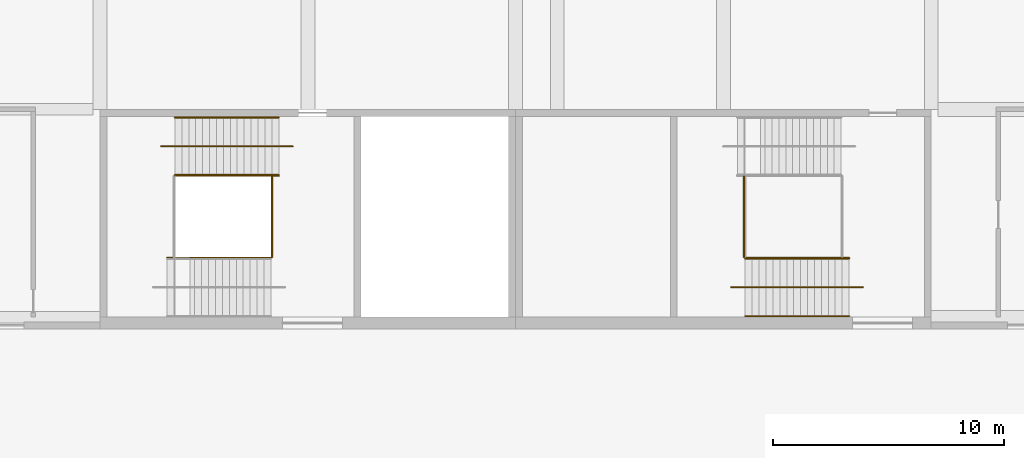
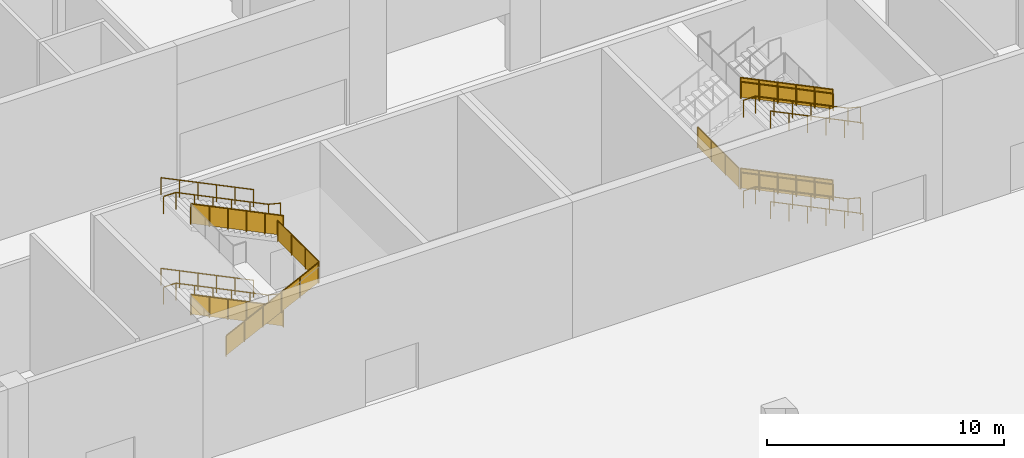
# One storey, part 69 of 92: 19 railings.
"""IFC4 building model written with IfcOpenShell, lengths in metres."""

from ifc_helpers import new_model, si_unit, direction, frame, origin, origin_2d, place, context, subcontext, project, spatial, polyline, circle, outline, extrude, material, type_object, element, save


model = new_model("IFC4")

# Units and contexts
model_context = context("Model", 3, precision=1e-05, world=origin(), true_north=direction((0.0, 1.0)))
body_context = subcontext(model_context, "Body", "Model", "MODEL_VIEW")
ifc_project = project(units=[si_unit("LENGTHUNIT", "METRE"), si_unit("AREAUNIT", "SQUARE_METRE"), si_unit("VOLUMEUNIT", "CUBIC_METRE"), si_unit("PLANEANGLEUNIT", "RADIAN"), si_unit("MASSUNIT", "GRAM", prefix="KILO")], contexts=[model_context])

# Site, building, storey
site_placement = place(None, origin())
site = spatial("IfcSite", under=ifc_project, at=site_placement, CompositionType="ELEMENT")
building_placement = place(site_placement, origin())
building = spatial("IfcBuilding", under=site, at=building_placement, Name="Silverbay Arena", CompositionType="ELEMENT")
storey_placement = place(building_placement, origin())
storey = spatial("IfcBuildingStorey", under=building, at=storey_placement, Name="L00", CompositionType="ELEMENT", Elevation=0.0)

# Railings
ifc_material_1 = material(Name="Stainless steel", Category="steel")
railing_type_1 = type_object("IfcRailingType", Name="Stair guard 1100", PredefinedType="GUARDRAIL", material=ifc_material_1)
railing_1_placement = place(storey_placement, frame((151.7431640625, 24.125, 0.145751953125)))
element("IfcRailing", 1, at=railing_1_placement, inside=storey, type_object=railing_type_1, Name="Stair ST-S3 L00 to L01 flight 1 guard right", PredefinedType="GUARDRAIL", context=body_context, shape_type="SweptSolid", body=[
    extrude(circle(Radius=0.02392578125, at=origin_2d()), frame((0.0, 0.0, 1.076171875), z_axis=(-0.899367854138, 0.0, 0.437192706873), x_axis=(0.0, -1.0, 0.0)), (0.0, 0.0, 1.0), 5.00341796875),
    extrude(outline(polyline([(-0.008056640625, 0.046142578125), (0.907958984375, 0.491455078125), (0.907958984375, 1.494384765625), (-0.008056640625, 1.049072265625), (-0.008056640625, 0.046142578125)])), frame((0.0, -0.0029296875, 0.0), z_axis=(0.0, 1.0, 0.0), x_axis=(-1.0, 0.0, 0.0)), (0.0, 0.0, 1.0), 0.006103515625),
    extrude(outline(polyline([(-0.008056640625, 0.483642578125), (0.907958984375, 0.928955078125), (0.907958984375, 1.931884765625), (-0.008056640625, 1.486572265625), (-0.008056640625, 0.483642578125)])), frame((-0.89990234375, -0.0029296875, 0.0), z_axis=(0.0, 1.0, 0.0), x_axis=(-1.0, 0.0, 0.0)), (0.0, 0.0, 1.0), 0.006103515625),
    extrude(outline(polyline([(-0.008056640625, 0.921142578125), (0.907958984375, 1.366455078125), (0.907958984375, 2.369384765625), (-0.008056640625, 1.924072265625), (-0.008056640625, 0.921142578125)])), frame((-1.800048828125, -0.0029296875, 0.0), z_axis=(0.0, 1.0, 0.0), x_axis=(-1.0, 0.0, 0.0)), (0.0, 0.0, 1.0), 0.006103515625),
    extrude(outline(polyline([(-0.008056640625, 1.358642578125), (0.907958984375, 1.803955078125), (0.907958984375, 2.806884765625), (-0.008056640625, 2.361572265625), (-0.008056640625, 1.358642578125)])), frame((-2.699951171875, -0.0029296875, 0.0), z_axis=(0.0, 1.0, 0.0), x_axis=(-1.0, 0.0, 0.0)), (0.0, 0.0, 1.0), 0.006103515625),
    extrude(outline(polyline([(-0.008056640625, 1.796142578125), (0.907958984375, 2.241455078125), (0.907958984375, 3.244384765625), (-0.008056640625, 2.799072265625), (-0.008056640625, 1.796142578125)])), frame((-3.60009765625, -0.0029296875, 0.0), z_axis=(0.0, 1.0, 0.0), x_axis=(-1.0, 0.0, 0.0)), (0.0, 0.0, 1.0), 0.006103515625),
    extrude(circle(Radius=0.02099609375, at=origin_2d()), origin(), (0.0, 0.0, 1.0), 1.052001953125),
    extrude(circle(Radius=0.02099609375, at=origin_2d()), frame((-0.89990234375, 0.0, 0.4375)), (0.0, 0.0, 1.0), 1.052001953125),
    extrude(circle(Radius=0.02099609375, at=origin_2d()), frame((-1.800048828125, 0.0, 0.875)), (0.0, 0.0, 1.0), 1.052001953125),
    extrude(circle(Radius=0.02099609375, at=origin_2d()), frame((-2.699951171875, 0.0, 1.3125)), (0.0, 0.0, 1.0), 1.052001953125),
    extrude(circle(Radius=0.02099609375, at=origin_2d()), frame((-3.60009765625, 0.0, 1.75)), (0.0, 0.0, 1.0), 1.052001953125),
    extrude(circle(Radius=0.02099609375, at=origin_2d()), frame((-4.5, 0.0, 2.1875)), (0.0, 0.0, 1.0), 1.052001953125),
])
railing_2_placement = place(storey_placement, frame((146.89990234375, 20.574951171875, 2.479248046875)))
element("IfcRailing", 2, at=railing_2_placement, inside=storey, type_object=railing_type_1, Name="Stair ST-S3 L00 to L01 flight 2 guard left", PredefinedType="GUARDRAIL", context=body_context, shape_type="SweptSolid", body=[
    extrude(circle(Radius=0.02392578125, at=origin_2d()), frame((0.0, 0.0, 1.076171875), z_axis=(0.899367854138, 0.0, 0.437192706873), x_axis=(0.0, 1.0, 0.0)), (0.0, 0.0, 1.0), 5.00341796875),
    extrude(outline(polyline([(-0.008056640625, 0.046142578125), (0.907958984375, 0.491455078125), (0.907958984375, 1.494384765625), (-0.008056640625, 1.049072265625), (-0.008056640625, 0.046142578125)])), frame((0.0, 0.0029296875, 0.0), z_axis=(0.0, -1.0, 0.0), x_axis=(1.0, 0.0, 0.0)), (0.0, 0.0, 1.0), 0.006103515625),
    extrude(outline(polyline([(-0.008056640625, 0.483642578125), (0.907958984375, 0.928955078125), (0.907958984375, 1.931884765625), (-0.008056640625, 1.486572265625), (-0.008056640625, 0.483642578125)])), frame((0.89990234375, 0.0029296875, 0.0), z_axis=(0.0, -1.0, 0.0), x_axis=(1.0, 0.0, 0.0)), (0.0, 0.0, 1.0), 0.006103515625),
    extrude(outline(polyline([(-0.008056640625, 0.921142578125), (0.907958984375, 1.366455078125), (0.907958984375, 2.369384765625), (-0.008056640625, 1.924072265625), (-0.008056640625, 0.921142578125)])), frame((1.800048828125, 0.0029296875, 0.0), z_axis=(0.0, -1.0, 0.0), x_axis=(1.0, 0.0, 0.0)), (0.0, 0.0, 1.0), 0.006103515625),
    extrude(outline(polyline([(-0.008056640625, 1.358642578125), (0.907958984375, 1.803955078125), (0.907958984375, 2.806884765625), (-0.008056640625, 2.361572265625), (-0.008056640625, 1.358642578125)])), frame((2.699951171875, 0.0029296875, 0.0), z_axis=(0.0, -1.0, 0.0), x_axis=(1.0, 0.0, 0.0)), (0.0, 0.0, 1.0), 0.006103515625),
    extrude(outline(polyline([(-0.008056640625, 1.796142578125), (0.907958984375, 2.241455078125), (0.907958984375, 3.244384765625), (-0.008056640625, 2.799072265625), (-0.008056640625, 1.796142578125)])), frame((3.60009765625, 0.0029296875, 0.0), z_axis=(0.0, -1.0, 0.0), x_axis=(1.0, 0.0, 0.0)), (0.0, 0.0, 1.0), 0.006103515625),
    extrude(circle(Radius=0.02099609375, at=origin_2d()), origin(), (0.0, 0.0, 1.0), 1.052001953125),
    extrude(circle(Radius=0.02099609375, at=origin_2d()), frame((0.89990234375, 0.0, 0.4375)), (0.0, 0.0, 1.0), 1.052001953125),
    extrude(circle(Radius=0.02099609375, at=origin_2d()), frame((1.800048828125, 0.0, 0.875)), (0.0, 0.0, 1.0), 1.052001953125),
    extrude(circle(Radius=0.02099609375, at=origin_2d()), frame((2.699951171875, 0.0, 1.3125)), (0.0, 0.0, 1.0), 1.052001953125),
    extrude(circle(Radius=0.02099609375, at=origin_2d()), frame((3.60009765625, 0.0, 1.75)), (0.0, 0.0, 1.0), 1.052001953125),
    extrude(circle(Radius=0.02099609375, at=origin_2d()), frame((4.5, 0.0, 2.1875)), (0.0, 0.0, 1.0), 1.052001953125),
])
railing_3_placement = place(storey_placement, frame((151.7431640625, 24.125, 4.8125)))
element("IfcRailing", 3, at=railing_3_placement, inside=storey, type_object=railing_type_1, Name="Stair ST-S3 L00 to L01 flight 3 guard right", PredefinedType="GUARDRAIL", context=body_context, shape_type="SweptSolid", body=[
    extrude(circle(Radius=0.02392578125, at=origin_2d()), frame((0.0, 0.0, 1.076171875), z_axis=(-0.899367854138, 0.0, 0.437192706873), x_axis=(0.0, -1.0, 0.0)), (0.0, 0.0, 1.0), 5.00341796875),
    extrude(outline(polyline([(-0.008056640625, 0.046142578125), (0.907958984375, 0.491455078125), (0.907958984375, 1.494384765625), (-0.008056640625, 1.049072265625), (-0.008056640625, 0.046142578125)])), frame((0.0, -0.0029296875, 0.0), z_axis=(0.0, 1.0, 0.0), x_axis=(-1.0, 0.0, 0.0)), (0.0, 0.0, 1.0), 0.006103515625),
    extrude(outline(polyline([(-0.008056640625, 0.483642578125), (0.907958984375, 0.928955078125), (0.907958984375, 1.931884765625), (-0.008056640625, 1.486572265625), (-0.008056640625, 0.483642578125)])), frame((-0.89990234375, -0.0029296875, 0.0), z_axis=(0.0, 1.0, 0.0), x_axis=(-1.0, 0.0, 0.0)), (0.0, 0.0, 1.0), 0.006103515625),
    extrude(outline(polyline([(-0.008056640625, 0.921142578125), (0.907958984375, 1.366455078125), (0.907958984375, 2.369384765625), (-0.008056640625, 1.924072265625), (-0.008056640625, 0.921142578125)])), frame((-1.800048828125, -0.0029296875, 0.0), z_axis=(0.0, 1.0, 0.0), x_axis=(-1.0, 0.0, 0.0)), (0.0, 0.0, 1.0), 0.006103515625),
    extrude(outline(polyline([(-0.008056640625, 1.358642578125), (0.907958984375, 1.803955078125), (0.907958984375, 2.806884765625), (-0.008056640625, 2.361572265625), (-0.008056640625, 1.358642578125)])), frame((-2.699951171875, -0.0029296875, 0.0), z_axis=(0.0, 1.0, 0.0), x_axis=(-1.0, 0.0, 0.0)), (0.0, 0.0, 1.0), 0.006103515625),
    extrude(outline(polyline([(-0.008056640625, 1.796142578125), (0.907958984375, 2.241455078125), (0.907958984375, 3.244384765625), (-0.008056640625, 2.799072265625), (-0.008056640625, 1.796142578125)])), frame((-3.60009765625, -0.0029296875, 0.0), z_axis=(0.0, 1.0, 0.0), x_axis=(-1.0, 0.0, 0.0)), (0.0, 0.0, 1.0), 0.006103515625),
    extrude(circle(Radius=0.02099609375, at=origin_2d()), origin(), (0.0, 0.0, 1.0), 1.052001953125),
    extrude(circle(Radius=0.02099609375, at=origin_2d()), frame((-0.89990234375, 0.0, 0.4375)), (0.0, 0.0, 1.0), 1.052001953125),
    extrude(circle(Radius=0.02099609375, at=origin_2d()), frame((-1.800048828125, 0.0, 0.875)), (0.0, 0.0, 1.0), 1.052001953125),
    extrude(circle(Radius=0.02099609375, at=origin_2d()), frame((-2.699951171875, 0.0, 1.3125)), (0.0, 0.0, 1.0), 1.052001953125),
    extrude(circle(Radius=0.02099609375, at=origin_2d()), frame((-3.60009765625, 0.0, 1.75)), (0.0, 0.0, 1.0), 1.052001953125),
    extrude(circle(Radius=0.02099609375, at=origin_2d()), frame((-4.5, 0.0, 2.1875)), (0.0, 0.0, 1.0), 1.052001953125),
])
railing_4_placement = place(storey_placement, frame((151.449951171875, 24.10009765625, 4.666748046875)))
element("IfcRailing", 4, at=railing_4_placement, inside=storey, type_object=railing_type_1, Name="Stair ST-S3 L00 to L01 landing 2 guard", PredefinedType="GUARDRAIL", context=body_context, shape_type="SweptSolid", body=[
    extrude(circle(Radius=0.02392578125, at=origin_2d()), frame((0.0, 0.0, 1.076171875), z_axis=(0.0, -1.0, 0.0), x_axis=(1.0, 0.0, 0.0)), (0.0, 0.0, 1.0), 3.5),
    extrude(outline(polyline([(-0.008056640625, 0.050048828125), (1.174560546875, 0.050048828125), (1.174560546875, 1.052978515625), (-0.008056640625, 1.052978515625), (-0.008056640625, 0.050048828125)])), frame((0.0029296875, 0.0, 0.0), z_axis=(-1.0, 0.0, 0.0), x_axis=(0.0, -1.0, 0.0)), (0.0, 0.0, 1.0), 0.006103515625),
    extrude(outline(polyline([(-0.008056640625, 0.050048828125), (1.174560546875, 0.050048828125), (1.174560546875, 1.052978515625), (-0.008056640625, 1.052978515625), (-0.008056640625, 0.050048828125)])), frame((0.0029296875, -1.166748046875, 0.0), z_axis=(-1.0, 0.0, 0.0), x_axis=(0.0, -1.0, 0.0)), (0.0, 0.0, 1.0), 0.006103515625),
    extrude(outline(polyline([(-0.008056640625, 0.050048828125), (1.174560546875, 0.050048828125), (1.174560546875, 1.052978515625), (-0.008056640625, 1.052978515625), (-0.008056640625, 0.050048828125)])), frame((0.0029296875, -2.333251953125, 0.0), z_axis=(-1.0, 0.0, 0.0), x_axis=(0.0, -1.0, 0.0)), (0.0, 0.0, 1.0), 0.006103515625),
    extrude(circle(Radius=0.02099609375, at=origin_2d()), origin(), (0.0, 0.0, 1.0), 1.052001953125),
    extrude(circle(Radius=0.02099609375, at=origin_2d()), frame((0.0, -1.166748046875, 0.0)), (0.0, 0.0, 1.0), 1.052001953125),
    extrude(circle(Radius=0.02099609375, at=origin_2d()), frame((0.0, -2.333251953125, 0.0)), (0.0, 0.0, 1.0), 1.052001953125),
    extrude(circle(Radius=0.02099609375, at=origin_2d()), frame((0.0, -3.5, 0.0)), (0.0, 0.0, 1.0), 1.052001953125),
])
railing_5_placement = place(storey_placement, frame((176.443115234375, 20.574951171875, 0.145751953125)))
element("IfcRailing", 5, at=railing_5_placement, inside=storey, type_object=railing_type_1, Name="Stair ST-S4 L00 to L01 flight 1 guard left", PredefinedType="GUARDRAIL", context=body_context, shape_type="SweptSolid", body=[
    extrude(circle(Radius=0.02392578125, at=origin_2d()), frame((0.0, 0.0, 1.076171875), z_axis=(-0.899367854138, 0.0, 0.437192706873), x_axis=(0.0, -1.0, 0.0)), (0.0, 0.0, 1.0), 5.00341796875),
    extrude(outline(polyline([(-0.008056640625, 0.046142578125), (0.907958984375, 0.491455078125), (0.907958984375, 1.494384765625), (-0.008056640625, 1.049072265625), (-0.008056640625, 0.046142578125)])), frame((0.0, -0.0029296875, 0.0), z_axis=(0.0, 1.0, 0.0), x_axis=(-1.0, 0.0, 0.0)), (0.0, 0.0, 1.0), 0.006103515625),
    extrude(outline(polyline([(-0.008056640625, 0.483642578125), (0.907958984375, 0.928955078125), (0.907958984375, 1.931884765625), (-0.008056640625, 1.486572265625), (-0.008056640625, 0.483642578125)])), frame((-0.89990234375, -0.0029296875, 0.0), z_axis=(0.0, 1.0, 0.0), x_axis=(-1.0, 0.0, 0.0)), (0.0, 0.0, 1.0), 0.006103515625),
    extrude(outline(polyline([(-0.008056640625, 0.921142578125), (0.907958984375, 1.366455078125), (0.907958984375, 2.369384765625), (-0.008056640625, 1.924072265625), (-0.008056640625, 0.921142578125)])), frame((-1.800048828125, -0.0029296875, 0.0), z_axis=(0.0, 1.0, 0.0), x_axis=(-1.0, 0.0, 0.0)), (0.0, 0.0, 1.0), 0.006103515625),
    extrude(outline(polyline([(-0.008056640625, 1.358642578125), (0.907958984375, 1.803955078125), (0.907958984375, 2.806884765625), (-0.008056640625, 2.361572265625), (-0.008056640625, 1.358642578125)])), frame((-2.699951171875, -0.0029296875, 0.0), z_axis=(0.0, 1.0, 0.0), x_axis=(-1.0, 0.0, 0.0)), (0.0, 0.0, 1.0), 0.006103515625),
    extrude(outline(polyline([(-0.008056640625, 1.796142578125), (0.907958984375, 2.241455078125), (0.907958984375, 3.244384765625), (-0.008056640625, 2.799072265625), (-0.008056640625, 1.796142578125)])), frame((-3.60009765625, -0.0029296875, 0.0), z_axis=(0.0, 1.0, 0.0), x_axis=(-1.0, 0.0, 0.0)), (0.0, 0.0, 1.0), 0.006103515625),
    extrude(circle(Radius=0.02099609375, at=origin_2d()), origin(), (0.0, 0.0, 1.0), 1.052001953125),
    extrude(circle(Radius=0.02099609375, at=origin_2d()), frame((-0.89990234375, 0.0, 0.4375)), (0.0, 0.0, 1.0), 1.052001953125),
    extrude(circle(Radius=0.02099609375, at=origin_2d()), frame((-1.800048828125, 0.0, 0.875)), (0.0, 0.0, 1.0), 1.052001953125),
    extrude(circle(Radius=0.02099609375, at=origin_2d()), frame((-2.699951171875, 0.0, 1.3125)), (0.0, 0.0, 1.0), 1.052001953125),
    extrude(circle(Radius=0.02099609375, at=origin_2d()), frame((-3.60009765625, 0.0, 1.75)), (0.0, 0.0, 1.0), 1.052001953125),
    extrude(circle(Radius=0.02099609375, at=origin_2d()), frame((-4.5, 0.0, 2.1875)), (0.0, 0.0, 1.0), 1.052001953125),
])
railing_6_placement = place(storey_placement, frame((176.443115234375, 20.574951171875, 4.8125)))
element("IfcRailing", 6, at=railing_6_placement, inside=storey, type_object=railing_type_1, Name="Stair ST-S4 L00 to L01 flight 3 guard left", PredefinedType="GUARDRAIL", context=body_context, shape_type="SweptSolid", body=[
    extrude(circle(Radius=0.02392578125, at=origin_2d()), frame((0.0, 0.0, 1.076171875), z_axis=(-0.899367854138, 0.0, 0.437192706873), x_axis=(0.0, -1.0, 0.0)), (0.0, 0.0, 1.0), 5.00341796875),
    extrude(outline(polyline([(-0.008056640625, 0.046142578125), (0.907958984375, 0.491455078125), (0.907958984375, 1.494384765625), (-0.008056640625, 1.049072265625), (-0.008056640625, 0.046142578125)])), frame((0.0, -0.0029296875, 0.0), z_axis=(0.0, 1.0, 0.0), x_axis=(-1.0, 0.0, 0.0)), (0.0, 0.0, 1.0), 0.006103515625),
    extrude(outline(polyline([(-0.008056640625, 0.483642578125), (0.907958984375, 0.928955078125), (0.907958984375, 1.931884765625), (-0.008056640625, 1.486572265625), (-0.008056640625, 0.483642578125)])), frame((-0.89990234375, -0.0029296875, 0.0), z_axis=(0.0, 1.0, 0.0), x_axis=(-1.0, 0.0, 0.0)), (0.0, 0.0, 1.0), 0.006103515625),
    extrude(outline(polyline([(-0.008056640625, 0.921142578125), (0.907958984375, 1.366455078125), (0.907958984375, 2.369384765625), (-0.008056640625, 1.924072265625), (-0.008056640625, 0.921142578125)])), frame((-1.800048828125, -0.0029296875, 0.0), z_axis=(0.0, 1.0, 0.0), x_axis=(-1.0, 0.0, 0.0)), (0.0, 0.0, 1.0), 0.006103515625),
    extrude(outline(polyline([(-0.008056640625, 1.358642578125), (0.907958984375, 1.803955078125), (0.907958984375, 2.806884765625), (-0.008056640625, 2.361572265625), (-0.008056640625, 1.358642578125)])), frame((-2.699951171875, -0.0029296875, 0.0), z_axis=(0.0, 1.0, 0.0), x_axis=(-1.0, 0.0, 0.0)), (0.0, 0.0, 1.0), 0.006103515625),
    extrude(outline(polyline([(-0.008056640625, 1.796142578125), (0.907958984375, 2.241455078125), (0.907958984375, 3.244384765625), (-0.008056640625, 2.799072265625), (-0.008056640625, 1.796142578125)])), frame((-3.60009765625, -0.0029296875, 0.0), z_axis=(0.0, 1.0, 0.0), x_axis=(-1.0, 0.0, 0.0)), (0.0, 0.0, 1.0), 0.006103515625),
    extrude(circle(Radius=0.02099609375, at=origin_2d()), origin(), (0.0, 0.0, 1.0), 1.052001953125),
    extrude(circle(Radius=0.02099609375, at=origin_2d()), frame((-0.89990234375, 0.0, 0.4375)), (0.0, 0.0, 1.0), 1.052001953125),
    extrude(circle(Radius=0.02099609375, at=origin_2d()), frame((-1.800048828125, 0.0, 0.875)), (0.0, 0.0, 1.0), 1.052001953125),
    extrude(circle(Radius=0.02099609375, at=origin_2d()), frame((-2.699951171875, 0.0, 1.3125)), (0.0, 0.0, 1.0), 1.052001953125),
    extrude(circle(Radius=0.02099609375, at=origin_2d()), frame((-3.60009765625, 0.0, 1.75)), (0.0, 0.0, 1.0), 1.052001953125),
    extrude(circle(Radius=0.02099609375, at=origin_2d()), frame((-4.5, 0.0, 2.1875)), (0.0, 0.0, 1.0), 1.052001953125),
])
railing_7_placement = place(storey_placement, frame((171.89306640625, 24.10009765625, 2.333251953125)))
element("IfcRailing", 7, at=railing_7_placement, inside=storey, type_object=railing_type_1, Name="Stair ST-S4 L00 to L01 landing 1 guard", PredefinedType="GUARDRAIL", context=body_context, shape_type="SweptSolid", body=[
    extrude(circle(Radius=0.02392578125, at=origin_2d()), frame((0.0, 0.0, 1.076171875), z_axis=(0.0, -1.0, 0.0), x_axis=(1.0, 0.0, 0.0)), (0.0, 0.0, 1.0), 3.5),
    extrude(outline(polyline([(-0.008056640625, 0.050048828125), (1.174560546875, 0.050048828125), (1.174560546875, 1.052978515625), (-0.008056640625, 1.052978515625), (-0.008056640625, 0.050048828125)])), frame((0.0029296875, 0.0, 0.0), z_axis=(-1.0, 0.0, 0.0), x_axis=(0.0, -1.0, 0.0)), (0.0, 0.0, 1.0), 0.006103515625),
    extrude(outline(polyline([(-0.008056640625, 0.050048828125), (1.174560546875, 0.050048828125), (1.174560546875, 1.052978515625), (-0.008056640625, 1.052978515625), (-0.008056640625, 0.050048828125)])), frame((0.0029296875, -1.166748046875, 0.0), z_axis=(-1.0, 0.0, 0.0), x_axis=(0.0, -1.0, 0.0)), (0.0, 0.0, 1.0), 0.006103515625),
    extrude(outline(polyline([(-0.008056640625, 0.050048828125), (1.174560546875, 0.050048828125), (1.174560546875, 1.052978515625), (-0.008056640625, 1.052978515625), (-0.008056640625, 0.050048828125)])), frame((0.0029296875, -2.333251953125, 0.0), z_axis=(-1.0, 0.0, 0.0), x_axis=(0.0, -1.0, 0.0)), (0.0, 0.0, 1.0), 0.006103515625),
    extrude(circle(Radius=0.02099609375, at=origin_2d()), origin(), (0.0, 0.0, 1.0), 1.052001953125),
    extrude(circle(Radius=0.02099609375, at=origin_2d()), frame((0.0, -1.166748046875, 0.0)), (0.0, 0.0, 1.0), 1.052001953125),
    extrude(circle(Radius=0.02099609375, at=origin_2d()), frame((0.0, -2.333251953125, 0.0)), (0.0, 0.0, 1.0), 1.052001953125),
    extrude(circle(Radius=0.02099609375, at=origin_2d()), frame((0.0, -3.5, 0.0)), (0.0, 0.0, 1.0), 1.052001953125),
])
ifc_material_2 = material(Name="Stainless steel", Category="steel")
railing_type_2 = type_object("IfcRailingType", Name="Stair handrail 900", PredefinedType="HANDRAIL", material=ifc_material_2)
for number, where, name in (
    (8, (151.7431640625, 26.64990234375, 0.145751953125), "Stair ST-S3 L00 to L01 flight 1 handrail left"),
    (9, (151.7431640625, 24.1640625, 0.145751953125), "Stair ST-S3 L00 to L01 flight 1 handrail right"),
):
    element("IfcRailing", number, at=place(storey_placement, frame(where)), inside=storey, type_object=railing_type_2, Name=name, PredefinedType="HANDRAIL", context=body_context, shape_type="SweptSolid", body=[
        extrude(circle(Radius=0.02392578125, at=origin_2d()), frame((0.0, 0.0, 0.8759765625), z_axis=(-0.899367854138, 0.0, 0.437192706873), x_axis=(0.0, -1.0, 0.0)), (0.0, 0.0, 1.0), 5.00341796875),
        extrude(circle(Radius=0.02099609375, at=origin_2d()), origin(), (0.0, 0.0, 1.0), 0.851806640625),
        extrude(circle(Radius=0.02099609375, at=origin_2d()), frame((-0.89990234375, 0.0, 0.4375)), (0.0, 0.0, 1.0), 0.851806640625),
        extrude(circle(Radius=0.02099609375, at=origin_2d()), frame((-1.800048828125, 0.0, 0.875)), (0.0, 0.0, 1.0), 0.851806640625),
        extrude(circle(Radius=0.02099609375, at=origin_2d()), frame((-2.699951171875, 0.0, 1.3125)), (0.0, 0.0, 1.0), 0.851806640625),
        extrude(circle(Radius=0.02099609375, at=origin_2d()), frame((-3.60009765625, 0.0, 1.75)), (0.0, 0.0, 1.0), 0.851806640625),
        extrude(circle(Radius=0.02099609375, at=origin_2d()), frame((-4.5, 0.0, 2.1875)), (0.0, 0.0, 1.0), 0.851806640625),
    ])
railing_8_placement = place(storey_placement, frame((152.343017578125, 25.39990234375, 0.0)))
element("IfcRailing", 10, at=railing_8_placement, inside=storey, type_object=railing_type_2, Name="Stair ST-S3 L00 to L01 flight 1 central handrail", PredefinedType="HANDRAIL", context=body_context, shape_type="SweptSolid", body=[
    extrude(circle(Radius=0.02392578125, at=origin_2d()), frame((0.0, 0.0, 0.8759765625), z_axis=(-0.971726487806, 0.0, 0.23610936639), x_axis=(0.0, -1.0, 0.0)), (0.0, 0.0, 1.0), 0.6171875),
    extrude(circle(Radius=0.02392578125, at=origin_2d()), frame((-0.599853515625, 0.0, 1.021484375), z_axis=(-0.899367854138, 0.0, 0.437192706873), x_axis=(0.0, -1.0, 0.0)), (0.0, 0.0, 1.0), 5.00341796875),
    extrude(circle(Radius=0.02392578125, at=origin_2d()), frame((-5.099853515625, 0.0, 3.208984375), z_axis=(-1.0, 0.0, 0.0), x_axis=(0.0, -1.0, 0.0)), (0.0, 0.0, 1.0), 0.60009765625),
    extrude(circle(Radius=0.02099609375, at=origin_2d()), origin(), (0.0, 0.0, 1.0), 0.851806640625),
    extrude(circle(Radius=0.02099609375, at=origin_2d()), frame((-0.599853515625, 0.0, 0.145751953125)), (0.0, 0.0, 1.0), 0.851806640625),
    extrude(circle(Radius=0.02099609375, at=origin_2d()), frame((-1.499755859375, 0.0, 0.583251953125)), (0.0, 0.0, 1.0), 0.851806640625),
    extrude(circle(Radius=0.02099609375, at=origin_2d()), frame((-2.39990234375, 0.0, 1.020751953125)), (0.0, 0.0, 1.0), 0.851806640625),
    extrude(circle(Radius=0.02099609375, at=origin_2d()), frame((-3.2998046875, 0.0, 1.458251953125)), (0.0, 0.0, 1.0), 0.851806640625),
    extrude(circle(Radius=0.02099609375, at=origin_2d()), frame((-4.199951171875, 0.0, 1.895751953125)), (0.0, 0.0, 1.0), 0.851806640625),
    extrude(circle(Radius=0.02099609375, at=origin_2d()), frame((-5.099853515625, 0.0, 2.333251953125)), (0.0, 0.0, 1.0), 0.851806640625),
    extrude(circle(Radius=0.02099609375, at=origin_2d()), frame((-5.699951171875, 0.0, 2.333251953125)), (0.0, 0.0, 1.0), 0.851806640625),
])
for number, where, name in (
    (11, (151.7431640625, 26.64990234375, 4.8125), "Stair ST-S3 L00 to L01 flight 3 handrail left"),
    (12, (151.7431640625, 24.1640625, 4.8125), "Stair ST-S3 L00 to L01 flight 3 handrail right"),
):
    element("IfcRailing", number, at=place(storey_placement, frame(where)), inside=storey, type_object=railing_type_2, Name=name, PredefinedType="HANDRAIL", context=body_context, shape_type="SweptSolid", body=[
        extrude(circle(Radius=0.02392578125, at=origin_2d()), frame((0.0, 0.0, 0.8759765625), z_axis=(-0.899367854138, 0.0, 0.437192706873), x_axis=(0.0, -1.0, 0.0)), (0.0, 0.0, 1.0), 5.00341796875),
        extrude(circle(Radius=0.02099609375, at=origin_2d()), origin(), (0.0, 0.0, 1.0), 0.851806640625),
        extrude(circle(Radius=0.02099609375, at=origin_2d()), frame((-0.89990234375, 0.0, 0.4375)), (0.0, 0.0, 1.0), 0.851806640625),
        extrude(circle(Radius=0.02099609375, at=origin_2d()), frame((-1.800048828125, 0.0, 0.875)), (0.0, 0.0, 1.0), 0.851806640625),
        extrude(circle(Radius=0.02099609375, at=origin_2d()), frame((-2.699951171875, 0.0, 1.3125)), (0.0, 0.0, 1.0), 0.851806640625),
        extrude(circle(Radius=0.02099609375, at=origin_2d()), frame((-3.60009765625, 0.0, 1.75)), (0.0, 0.0, 1.0), 0.851806640625),
        extrude(circle(Radius=0.02099609375, at=origin_2d()), frame((-4.5, 0.0, 2.1875)), (0.0, 0.0, 1.0), 0.851806640625),
    ])
railing_9_placement = place(storey_placement, frame((152.343017578125, 25.39990234375, 4.666748046875)))
element("IfcRailing", 13, at=railing_9_placement, inside=storey, type_object=railing_type_2, Name="Stair ST-S3 L00 to L01 flight 3 central handrail", PredefinedType="HANDRAIL", context=body_context, shape_type="SweptSolid", body=[
    extrude(circle(Radius=0.02392578125, at=origin_2d()), frame((0.0, 0.0, 0.8759765625), z_axis=(-0.971726487806, 0.0, 0.23610936639), x_axis=(0.0, -1.0, 0.0)), (0.0, 0.0, 1.0), 0.6171875),
    extrude(circle(Radius=0.02392578125, at=origin_2d()), frame((-0.599853515625, 0.0, 1.021484375), z_axis=(-0.899367854138, 0.0, 0.437192706873), x_axis=(0.0, -1.0, 0.0)), (0.0, 0.0, 1.0), 5.00341796875),
    extrude(circle(Radius=0.02392578125, at=origin_2d()), frame((-5.099853515625, 0.0, 3.208984375), z_axis=(-1.0, 0.0, 0.0), x_axis=(0.0, -1.0, 0.0)), (0.0, 0.0, 1.0), 0.60009765625),
    extrude(circle(Radius=0.02099609375, at=origin_2d()), origin(), (0.0, 0.0, 1.0), 0.851806640625),
    extrude(circle(Radius=0.02099609375, at=origin_2d()), frame((-0.599853515625, 0.0, 0.145751953125)), (0.0, 0.0, 1.0), 0.851806640625),
    extrude(circle(Radius=0.02099609375, at=origin_2d()), frame((-1.499755859375, 0.0, 0.583251953125)), (0.0, 0.0, 1.0), 0.851806640625),
    extrude(circle(Radius=0.02099609375, at=origin_2d()), frame((-2.39990234375, 0.0, 1.020751953125)), (0.0, 0.0, 1.0), 0.851806640625),
    extrude(circle(Radius=0.02099609375, at=origin_2d()), frame((-3.2998046875, 0.0, 1.458251953125)), (0.0, 0.0, 1.0), 0.851806640625),
    extrude(circle(Radius=0.02099609375, at=origin_2d()), frame((-4.199951171875, 0.0, 1.895751953125)), (0.0, 0.0, 1.0), 0.851806640625),
    extrude(circle(Radius=0.02099609375, at=origin_2d()), frame((-5.099853515625, 0.0, 2.333251953125)), (0.0, 0.0, 1.0), 0.851806640625),
    extrude(circle(Radius=0.02099609375, at=origin_2d()), frame((-5.699951171875, 0.0, 2.333251953125)), (0.0, 0.0, 1.0), 0.851806640625),
])
for number, where, name in (
    (14, (176.443115234375, 20.535888671875, 0.145751953125), "Stair ST-S4 L00 to L01 flight 1 handrail left"),
    (15, (176.443115234375, 18.050048828125, 0.145751953125), "Stair ST-S4 L00 to L01 flight 1 handrail right"),
):
    element("IfcRailing", number, at=place(storey_placement, frame(where)), inside=storey, type_object=railing_type_2, Name=name, PredefinedType="HANDRAIL", context=body_context, shape_type="SweptSolid", body=[
        extrude(circle(Radius=0.02392578125, at=origin_2d()), frame((0.0, 0.0, 0.8759765625), z_axis=(-0.899367854138, 0.0, 0.437192706873), x_axis=(0.0, -1.0, 0.0)), (0.0, 0.0, 1.0), 5.00341796875),
        extrude(circle(Radius=0.02099609375, at=origin_2d()), origin(), (0.0, 0.0, 1.0), 0.851806640625),
        extrude(circle(Radius=0.02099609375, at=origin_2d()), frame((-0.89990234375, 0.0, 0.4375)), (0.0, 0.0, 1.0), 0.851806640625),
        extrude(circle(Radius=0.02099609375, at=origin_2d()), frame((-1.800048828125, 0.0, 0.875)), (0.0, 0.0, 1.0), 0.851806640625),
        extrude(circle(Radius=0.02099609375, at=origin_2d()), frame((-2.699951171875, 0.0, 1.3125)), (0.0, 0.0, 1.0), 0.851806640625),
        extrude(circle(Radius=0.02099609375, at=origin_2d()), frame((-3.60009765625, 0.0, 1.75)), (0.0, 0.0, 1.0), 0.851806640625),
        extrude(circle(Radius=0.02099609375, at=origin_2d()), frame((-4.5, 0.0, 2.1875)), (0.0, 0.0, 1.0), 0.851806640625),
    ])
railing_10_placement = place(storey_placement, frame((177.043212890625, 19.300048828125, 0.0)))
element("IfcRailing", 16, at=railing_10_placement, inside=storey, type_object=railing_type_2, Name="Stair ST-S4 L00 to L01 flight 1 central handrail", PredefinedType="HANDRAIL", context=body_context, shape_type="SweptSolid", body=[
    extrude(circle(Radius=0.02392578125, at=origin_2d()), frame((0.0, 0.0, 0.8759765625), z_axis=(-0.971748522905, 0.0, 0.236018660771), x_axis=(0.0, -1.0, 0.0)), (0.0, 0.0, 1.0), 0.617431640625),
    extrude(circle(Radius=0.02392578125, at=origin_2d()), frame((-0.60009765625, 0.0, 1.021484375), z_axis=(-0.899367854138, 0.0, 0.437192706873), x_axis=(0.0, -1.0, 0.0)), (0.0, 0.0, 1.0), 5.00341796875),
    extrude(circle(Radius=0.02392578125, at=origin_2d()), frame((-5.10009765625, 0.0, 3.208984375), z_axis=(-1.0, 0.0, 0.0), x_axis=(0.0, -1.0, 0.0)), (0.0, 0.0, 1.0), 0.60009765625),
    extrude(circle(Radius=0.02099609375, at=origin_2d()), origin(), (0.0, 0.0, 1.0), 0.851806640625),
    extrude(circle(Radius=0.02099609375, at=origin_2d()), frame((-0.60009765625, 0.0, 0.145751953125)), (0.0, 0.0, 1.0), 0.851806640625),
    extrude(circle(Radius=0.02099609375, at=origin_2d()), frame((-1.5, 0.0, 0.583251953125)), (0.0, 0.0, 1.0), 0.851806640625),
    extrude(circle(Radius=0.02099609375, at=origin_2d()), frame((-2.400146484375, 0.0, 1.020751953125)), (0.0, 0.0, 1.0), 0.851806640625),
    extrude(circle(Radius=0.02099609375, at=origin_2d()), frame((-3.300048828125, 0.0, 1.458251953125)), (0.0, 0.0, 1.0), 0.851806640625),
    extrude(circle(Radius=0.02099609375, at=origin_2d()), frame((-4.2001953125, 0.0, 1.895751953125)), (0.0, 0.0, 1.0), 0.851806640625),
    extrude(circle(Radius=0.02099609375, at=origin_2d()), frame((-5.10009765625, 0.0, 2.333251953125)), (0.0, 0.0, 1.0), 0.851806640625),
    extrude(circle(Radius=0.02099609375, at=origin_2d()), frame((-5.7001953125, 0.0, 2.333251953125)), (0.0, 0.0, 1.0), 0.851806640625),
])
for number, where, name in (
    (17, (176.443115234375, 20.535888671875, 4.8125), "Stair ST-S4 L00 to L01 flight 3 handrail left"),
    (18, (176.443115234375, 18.050048828125, 4.8125), "Stair ST-S4 L00 to L01 flight 3 handrail right"),
):
    element("IfcRailing", number, at=place(storey_placement, frame(where)), inside=storey, type_object=railing_type_2, Name=name, PredefinedType="HANDRAIL", context=body_context, shape_type="SweptSolid", body=[
        extrude(circle(Radius=0.02392578125, at=origin_2d()), frame((0.0, 0.0, 0.8759765625), z_axis=(-0.899367854138, 0.0, 0.437192706873), x_axis=(0.0, -1.0, 0.0)), (0.0, 0.0, 1.0), 5.00341796875),
        extrude(circle(Radius=0.02099609375, at=origin_2d()), origin(), (0.0, 0.0, 1.0), 0.851806640625),
        extrude(circle(Radius=0.02099609375, at=origin_2d()), frame((-0.89990234375, 0.0, 0.4375)), (0.0, 0.0, 1.0), 0.851806640625),
        extrude(circle(Radius=0.02099609375, at=origin_2d()), frame((-1.800048828125, 0.0, 0.875)), (0.0, 0.0, 1.0), 0.851806640625),
        extrude(circle(Radius=0.02099609375, at=origin_2d()), frame((-2.699951171875, 0.0, 1.3125)), (0.0, 0.0, 1.0), 0.851806640625),
        extrude(circle(Radius=0.02099609375, at=origin_2d()), frame((-3.60009765625, 0.0, 1.75)), (0.0, 0.0, 1.0), 0.851806640625),
        extrude(circle(Radius=0.02099609375, at=origin_2d()), frame((-4.5, 0.0, 2.1875)), (0.0, 0.0, 1.0), 0.851806640625),
    ])
railing_11_placement = place(storey_placement, frame((177.043212890625, 19.300048828125, 4.666748046875)))
element("IfcRailing", 19, at=railing_11_placement, inside=storey, type_object=railing_type_2, Name="Stair ST-S4 L00 to L01 flight 3 central handrail", PredefinedType="HANDRAIL", context=body_context, shape_type="SweptSolid", body=[
    extrude(circle(Radius=0.02392578125, at=origin_2d()), frame((0.0, 0.0, 0.8759765625), z_axis=(-0.971748522905, 0.0, 0.236018660771), x_axis=(0.0, -1.0, 0.0)), (0.0, 0.0, 1.0), 0.617431640625),
    extrude(circle(Radius=0.02392578125, at=origin_2d()), frame((-0.60009765625, 0.0, 1.021484375), z_axis=(-0.899367854138, 0.0, 0.437192706873), x_axis=(0.0, -1.0, 0.0)), (0.0, 0.0, 1.0), 5.00341796875),
    extrude(circle(Radius=0.02392578125, at=origin_2d()), frame((-5.10009765625, 0.0, 3.208984375), z_axis=(-1.0, 0.0, 0.0), x_axis=(0.0, -1.0, 0.0)), (0.0, 0.0, 1.0), 0.60009765625),
    extrude(circle(Radius=0.02099609375, at=origin_2d()), origin(), (0.0, 0.0, 1.0), 0.851806640625),
    extrude(circle(Radius=0.02099609375, at=origin_2d()), frame((-0.60009765625, 0.0, 0.145751953125)), (0.0, 0.0, 1.0), 0.851806640625),
    extrude(circle(Radius=0.02099609375, at=origin_2d()), frame((-1.5, 0.0, 0.583251953125)), (0.0, 0.0, 1.0), 0.851806640625),
    extrude(circle(Radius=0.02099609375, at=origin_2d()), frame((-2.400146484375, 0.0, 1.020751953125)), (0.0, 0.0, 1.0), 0.851806640625),
    extrude(circle(Radius=0.02099609375, at=origin_2d()), frame((-3.300048828125, 0.0, 1.458251953125)), (0.0, 0.0, 1.0), 0.851806640625),
    extrude(circle(Radius=0.02099609375, at=origin_2d()), frame((-4.2001953125, 0.0, 1.895751953125)), (0.0, 0.0, 1.0), 0.851806640625),
    extrude(circle(Radius=0.02099609375, at=origin_2d()), frame((-5.10009765625, 0.0, 2.333251953125)), (0.0, 0.0, 1.0), 0.851806640625),
    extrude(circle(Radius=0.02099609375, at=origin_2d()), frame((-5.7001953125, 0.0, 2.333251953125)), (0.0, 0.0, 1.0), 0.851806640625),
])

save(model, "model.ifc")
